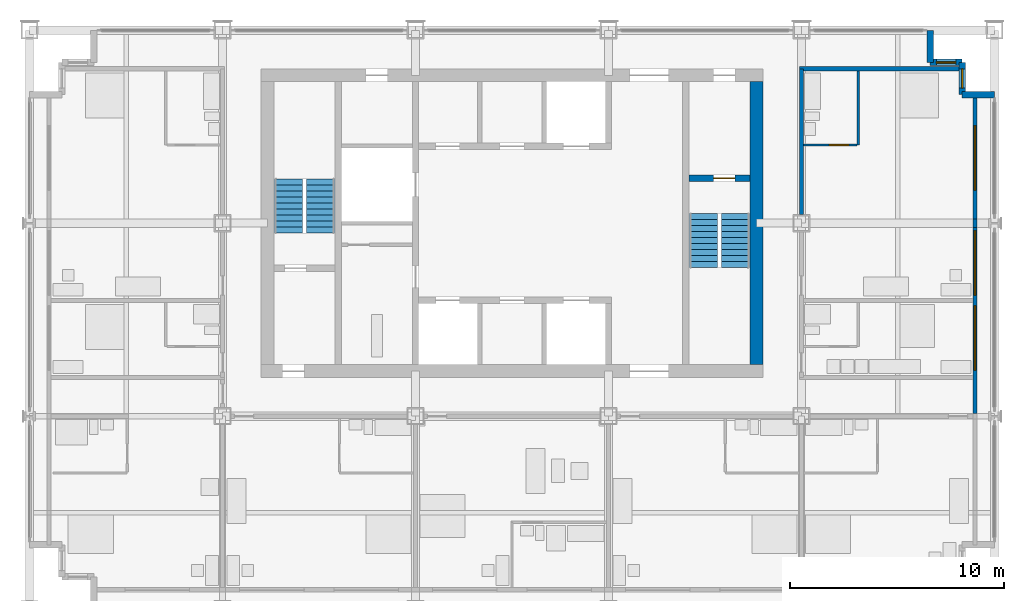
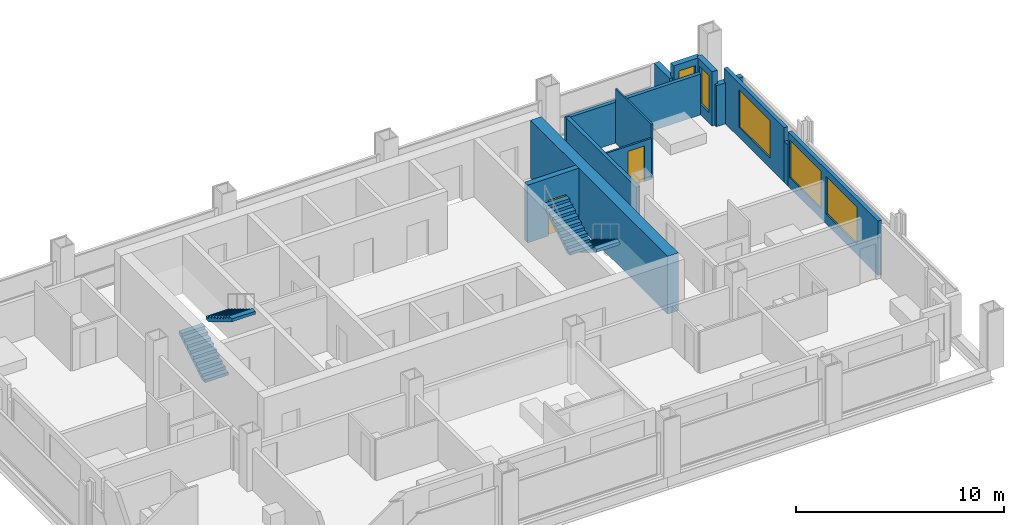
# One storey, part 10 of 13: 13 walls, 5 windows, 4 stair flights, 2 doors, 7 openings, 2 elements without a shape of their own.
"""IFC4 building model written with IfcOpenShell, lengths in metres."""

from ifc_helpers import new_model, si_unit, direction, frame, frame_2d, origin, place, context, subcontext, project, spatial, polyline, rectangle, outline, extrude, material, layer, layer_set, type_object, element, fill, aggregate, save


model = new_model("IFC4")

# Units and contexts
model_context = context("Model", 3, precision=1e-05, world=origin(), true_north=direction((0.0, 1.0)))
body_context = subcontext(model_context, "Body", "Model", "MODEL_VIEW")
ifc_project = project(units=[si_unit("LENGTHUNIT", "METRE"), si_unit("AREAUNIT", "SQUARE_METRE"), si_unit("VOLUMEUNIT", "CUBIC_METRE"), si_unit("PLANEANGLEUNIT", "RADIAN"), si_unit("MASSUNIT", "GRAM", prefix="KILO")], contexts=[model_context])

# Site, building, storey
site_placement = place(None, origin())
site = spatial("IfcSite", under=ifc_project, at=site_placement, CompositionType="ELEMENT")
building_placement = place(site_placement, origin())
building = spatial("IfcBuilding", under=site, at=building_placement, Name="Loomwork Tower", CompositionType="ELEMENT")
storey_placement = place(building_placement, frame((0.0, 0.0, 180.800048828125)))
storey = spatial("IfcBuildingStorey", under=building, at=storey_placement, Name="L49", CompositionType="ELEMENT", Elevation=180.800048828125)

# Wall, opening, door
ifc_material_1 = material(Name="Concrete 14000 psi (97 MPa)", Category="concrete")
ifc_layer_1 = layer(ifc_material_1, 0.300048828125)
ifc_layer_set_1 = layer_set([ifc_layer_1], Name="Core shear wall 300")
wall_type_1 = type_object("IfcWallType", Name="Core shear wall 300", PredefinedType="SHEAR", material=ifc_layer_set_1)
wall_1_placement = place(storey_placement, frame((30.75, 20.10009765625, 0.0), z_axis=(0.0, 0.0, 1.0), x_axis=(1.0, 0.0, 0.0)))
wall_1 = element("IfcWall", 1, at=wall_1_placement, inside=storey, type_object=wall_type_1, Name="Stair B north wall L49", PredefinedType="SHEAR", context=body_context, shape_type="SweptSolid", body=[
    extrude(rectangle(XDim=2.85009765625, YDim=0.300048828125, at=frame_2d((1.425048828125, 0.0))), origin(), (0.0, 0.0, 1.0), 3.39990234375),
])
opening_1_placement = place(wall_1_placement, frame((1.14990234375, 0.0, 0.0)))
opening_1 = element("IfcOpeningElement", 2, at=opening_1_placement, cuts=wall_1, Name="Opening D4", PredefinedType="OPENING", context=body_context, shape_type="SweptSolid", body=[
    extrude(rectangle(XDim=1.0, YDim=2.10009765625, at=frame_2d((0.5, 1.050048828125))), frame((0.0, 0.159912109375, 0.0), z_axis=(0.0, -1.0, 0.0), x_axis=(1.0, 0.0, 0.0)), (0.0, 0.0, 1.0), 0.320068359375),
])
ifc_material_2 = material(Name="Hollow metal door and frame")
door_type_1 = type_object("IfcDoorType", Name="Stair door 1000", OperationType="SINGLE_SWING_RIGHT", PredefinedType="DOOR", material=ifc_material_2)
door_1_placement = place(opening_1_placement, frame((1.0, 0.0, 0.0), z_axis=(0.0, 0.0, 1.0), x_axis=(-1.0, 0.0, 0.0)))
door_1 = element("IfcDoor", 3, at=door_1_placement, inside=storey, type_object=door_type_1, Name="Stair B door", OperationType="SINGLE_SWING_LEFT", OverallHeight=2.10009765625, OverallWidth=1.0, PredefinedType="DOOR", context=body_context, shape_type="SweptSolid", body=[
    extrude(rectangle(XDim=1.0, YDim=2.10009765625, at=frame_2d((0.5, 1.050048828125))), frame((0.0, 0.02490234375, 0.0), z_axis=(0.0, -1.0, 0.0), x_axis=(1.0, 0.0, 0.0)), (0.0, 0.0, 1.0), 0.050048828125),
])
fill(opening_1, door_1)

# Walls
ifc_material_3 = material(Name="Concrete 14000 psi (97 MPa)", Category="concrete")
ifc_layer_2 = layer(ifc_material_3, 0.60009765625)
ifc_layer_set_2 = layer_set([ifc_layer_2], Name="Core shear wall 600")
wall_type_2 = type_object("IfcWallType", Name="Core shear wall 600", PredefinedType="SHEAR", material=ifc_layer_set_2)
wall_2_placement = place(storey_placement, frame((33.89990234375, 11.39990234375, 0.0), z_axis=(0.0, 0.0, 1.0), x_axis=(0.0, 1.0, 0.0)))
element("IfcWall", 4, at=wall_2_placement, inside=storey, type_object=wall_type_2, Name="Core wall east L49", PredefinedType="SHEAR", context=body_context, shape_type="SweptSolid", body=[
    extrude(rectangle(XDim=13.2001953125, YDim=0.60009765625, at=frame_2d((6.60009765625, 0.0))), origin(), (0.0, 0.0, 1.0), 3.39990234375),
])
ifc_material_4 = material(Name="Gypsum board on steel studs, one-hour", Category="steel")
ifc_layer_3 = layer(ifc_material_4, 0.199951171875)
ifc_layer_set_3 = layer_set([ifc_layer_3], Name="Corridor wall 200")
wall_type_3 = type_object("IfcWallType", Name="Corridor wall 200", PredefinedType="PARTITIONING", material=ifc_layer_set_3)
wall_3_placement = place(storey_placement, frame((36.0, 18.39990234375, 0.0), z_axis=(0.0, 0.0, 1.0), x_axis=(0.0, 1.0, 0.0)))
element("IfcWall", 5, at=wall_3_placement, inside=storey, type_object=wall_type_3, Name="East corridor wall 2", PredefinedType="PARTITIONING", context=body_context, shape_type="SweptSolid", body=[
    extrude(rectangle(XDim=6.800048828125, YDim=0.199951171875, at=frame_2d((3.39990234375, 0.0))), origin(), (0.0, 0.0, 1.0), 2.405029296875),
])
wall_4_placement = place(storey_placement, frame((35.89990234375, 25.199951171875, 0.0), z_axis=(0.0, 0.0, 1.0), x_axis=(1.0, 0.0, 0.0)))
element("IfcWall", 6, at=wall_4_placement, inside=storey, type_object=wall_type_3, Name="East band end wall N", PredefinedType="PARTITIONING", context=body_context, shape_type="SweptSolid", body=[
    extrude(rectangle(XDim=7.4501953125, YDim=0.199951171875, at=frame_2d((3.72509765625, 0.0))), origin(), (0.0, 0.0, 1.0), 2.404052734375),
])
ifc_material_5 = material(Name="Cement board on steel studs", Category="steel")
ifc_layer_4 = layer(ifc_material_5, 0.10009765625)
ifc_layer_set_4 = layer_set([ifc_layer_4], Name="En-suite partition 100")
wall_type_4 = type_object("IfcWallType", Name="En-suite partition 100", PredefinedType="PARTITIONING", material=ifc_layer_set_4)
wall_5_placement = place(storey_placement, frame((38.64990234375, 21.64990234375, 0.0), z_axis=(0.0, 0.0, 1.0), x_axis=(0.0, 1.0, 0.0)))
element("IfcWall", 7, at=wall_5_placement, inside=storey, type_object=wall_type_4, Name="En-suite wall L49 room 9", PredefinedType="PARTITIONING", context=body_context, shape_type="SweptSolid", body=[
    extrude(rectangle(XDim=3.4501953125, YDim=0.10009765625, at=frame_2d((1.72509765625, 0.0))), origin(), (0.0, 0.0, 1.0), 3.199951171875),
])

# Wall, opening, door
wall_6_placement = place(storey_placement, frame((36.10009765625, 21.64990234375, 0.0), z_axis=(0.0, 0.0, 1.0), x_axis=(1.0, 0.0, 0.0)))
wall_6 = element("IfcWall", 8, at=wall_6_placement, inside=storey, type_object=wall_type_4, Name="En-suite side wall L49 room 9", PredefinedType="PARTITIONING", context=body_context, shape_type="SweptSolid", body=[
    extrude(rectangle(XDim=2.5, YDim=0.10009765625, at=frame_2d((1.25, 0.0))), origin(), (0.0, 0.0, 1.0), 2.404052734375),
])
opening_2_placement = place(wall_6_placement, frame((1.199951171875, 0.0, 0.0)))
opening_2 = element("IfcOpeningElement", 9, at=opening_2_placement, cuts=wall_6, Name="Opening D2", PredefinedType="OPENING", context=body_context, shape_type="SweptSolid", body=[
    extrude(rectangle(XDim=0.89990234375, YDim=2.10009765625, at=frame_2d((0.449951171875, 1.050048828125))), frame((0.0, 0.06005859375, 0.0), z_axis=(0.0, -1.0, 0.0), x_axis=(1.0, 0.0, 0.0)), (0.0, 0.0, 1.0), 0.1201171875),
])
ifc_material_6 = material(Name="Hollow metal door and frame")
door_type_2 = type_object("IfcDoorType", Name="En-suite door 900", OperationType="SINGLE_SWING_LEFT", PredefinedType="DOOR", material=ifc_material_6)
door_2_placement = place(opening_2_placement, origin())
door_2 = element("IfcDoor", 10, at=door_2_placement, inside=storey, type_object=door_type_2, Name="En-suite door room 9", OperationType="SINGLE_SWING_RIGHT", OverallHeight=2.10009765625, OverallWidth=0.89990234375, PredefinedType="DOOR", context=body_context, shape_type="SweptSolid", body=[
    extrude(rectangle(XDim=0.89990234375, YDim=2.10009765625, at=frame_2d((0.449951171875, 1.050048828125))), frame((0.0, 0.02490234375, 0.0), z_axis=(0.0, -1.0, 0.0), x_axis=(1.0, 0.0, 0.0)), (0.0, 0.0, 1.0), 0.050048828125),
])
fill(opening_2, door_2)

# Wall, openings, windows
ifc_material_7 = material(Name="Insulated steel stud wall with gypsum lining", Category="steel")
ifc_layer_5 = layer(ifc_material_7, 0.199951171875)
ifc_layer_set_5 = layer_set([ifc_layer_5], Name="Inner skin wall 200")
wall_type_5 = type_object("IfcWallType", Name="Inner skin wall 200", PredefinedType="SOLIDWALL", material=ifc_layer_set_5)
wall_7_placement = place(storey_placement, frame((44.10009765625, 9.13525390625, 0.0), z_axis=(0.0, 0.0, 1.0), x_axis=(0.0, 1.0, 0.0)))
wall_7 = element("IfcWall", 11, at=wall_7_placement, inside=storey, type_object=wall_type_5, Name="Inner skin wall E bay 5", PredefinedType="SOLIDWALL", context=body_context, shape_type="SweptSolid", body=[
    extrude(rectangle(XDim=8.6708984375, YDim=0.199951171875, at=frame_2d((4.33544921875, 0.0))), origin(), (0.0, 0.0, 1.0), 3.199951171875),
])
opening_3_placement = place(wall_7_placement, frame((2.0146484375, 0.0, 0.60009765625)))
opening_3 = element("IfcOpeningElement", 12, at=opening_3_placement, cuts=wall_7, Name="Opening CH1", PredefinedType="OPENING", context=body_context, shape_type="SweptSolid", body=[
    extrude(rectangle(XDim=3.0, YDim=2.199951171875, at=frame_2d((1.5, 1.10009765625))), frame((0.0, 0.10986328125, 0.0), z_axis=(0.0, -1.0, 0.0), x_axis=(1.0, 0.0, 0.0)), (0.0, 0.0, 1.0), 0.219970703125),
])
opening_4_placement = place(wall_7_placement, frame((5.5146484375, 0.0, 0.60009765625)))
opening_4 = element("IfcOpeningElement", 13, at=opening_4_placement, cuts=wall_7, Name="Opening CH1", PredefinedType="OPENING", context=body_context, shape_type="SweptSolid", body=[
    extrude(rectangle(XDim=3.0, YDim=2.199951171875, at=frame_2d((1.5, 1.10009765625))), frame((0.0, 0.10986328125, 0.0), z_axis=(0.0, -1.0, 0.0), x_axis=(1.0, 0.0, 0.0)), (0.0, 0.0, 1.0), 0.219970703125),
])
ifc_material_8 = material(Name="Aluminium frame with clear insulated glass", Category="aluminium")
window_type_1 = type_object("IfcWindowType", Name="Chicago window 3000", PartitioningType="TRIPLE_PANEL_VERTICAL", PredefinedType="WINDOW", material=ifc_material_8)
window_1_placement = place(opening_3_placement, origin())
window_1 = element("IfcWindow", 14, at=window_1_placement, inside=storey, type_object=window_type_1, Name="Chicago window L49 bay 8", OverallHeight=2.199951171875, OverallWidth=3.0, PartitioningType="TRIPLE_PANEL_VERTICAL", PredefinedType="WINDOW", context=body_context, shape_type="SweptSolid", body=[
    extrude(rectangle(XDim=3.0, YDim=2.199951171875, at=frame_2d((1.5, 1.10009765625))), frame((0.0, 0.030029296875, 0.0), z_axis=(0.0, -1.0, 0.0), x_axis=(1.0, 0.0, 0.0)), (0.0, 0.0, 1.0), 0.06005859375),
])
fill(opening_3, window_1)
window_2_placement = place(opening_4_placement, origin())
window_2 = element("IfcWindow", 15, at=window_2_placement, inside=storey, type_object=window_type_1, Name="Chicago window L49 bay 8", OverallHeight=2.199951171875, OverallWidth=3.0, PartitioningType="TRIPLE_PANEL_VERTICAL", PredefinedType="WINDOW", context=body_context, shape_type="SweptSolid", body=[
    extrude(rectangle(XDim=3.0, YDim=2.199951171875, at=frame_2d((1.5, 1.10009765625))), frame((0.0, 0.030029296875, 0.0), z_axis=(0.0, -1.0, 0.0), x_axis=(1.0, 0.0, 0.0)), (0.0, 0.0, 1.0), 0.06005859375),
])
fill(opening_4, window_2)

# Wall
wall_8_placement = place(storey_placement, frame((44.10009765625, 17.80615234375, 0.0), z_axis=(0.0, 0.0, 1.0), x_axis=(0.0, 1.0, 0.0)))
element("IfcWall", 16, at=wall_8_placement, inside=storey, type_object=wall_type_5, Name="Inner skin wall E bay 6", PredefinedType="SOLIDWALL", context=body_context, shape_type="SweptSolid", body=[
    extrude(rectangle(XDim=0.3876953125, YDim=0.199951171875, at=frame_2d((0.19384765625, 0.0))), origin(), (0.0, 0.0, 1.0), 2.404052734375),
])

# Wall, opening, window
wall_9_placement = place(storey_placement, frame((44.10009765625, 18.19384765625, 0.0), z_axis=(0.0, 0.0, 1.0), x_axis=(0.0, 1.0, 0.0)))
wall_9 = element("IfcWall", 17, at=wall_9_placement, inside=storey, type_object=wall_type_5, Name="Inner skin wall E bay 7", PredefinedType="SOLIDWALL", context=body_context, shape_type="SweptSolid", body=[
    extrude(rectangle(XDim=5.80615234375, YDim=0.199951171875, at=frame_2d((2.903076171875, 0.0))), origin(), (0.0, 0.0, 1.0), 3.199951171875),
])
opening_5_placement = place(wall_9_placement, frame((1.356201171875, 0.0, 0.60009765625)))
opening_5 = element("IfcOpeningElement", 18, at=opening_5_placement, cuts=wall_9, Name="Opening CH1", PredefinedType="OPENING", context=body_context, shape_type="SweptSolid", body=[
    extrude(rectangle(XDim=3.0, YDim=2.199951171875, at=frame_2d((1.5, 1.10009765625))), frame((0.0, 0.10986328125, 0.0), z_axis=(0.0, -1.0, 0.0), x_axis=(1.0, 0.0, 0.0)), (0.0, 0.0, 1.0), 0.219970703125),
])
window_3_placement = place(opening_5_placement, origin())
window_3 = element("IfcWindow", 19, at=window_3_placement, inside=storey, type_object=window_type_1, Name="Chicago window L49 bay 9", OverallHeight=2.199951171875, OverallWidth=3.0, PartitioningType="TRIPLE_PANEL_VERTICAL", PredefinedType="WINDOW", context=body_context, shape_type="SweptSolid", body=[
    extrude(rectangle(XDim=3.0, YDim=2.199951171875, at=frame_2d((1.5, 1.10009765625))), frame((0.0, 0.030029296875, 0.0), z_axis=(0.0, -1.0, 0.0), x_axis=(1.0, 0.0, 0.0)), (0.0, 0.0, 1.0), 0.06005859375),
])
fill(opening_5, window_3)

# Wall
ifc_material_9 = material(Name="Limestone on concrete masonry", Category="masonry")
ifc_layer_6 = layer(ifc_material_9, 0.300048828125)
ifc_layer_set_6 = layer_set([ifc_layer_6], Name="Limestone corner wall 300")
wall_type_6 = type_object("IfcWallType", Name="Limestone corner wall 300", PredefinedType="SOLIDWALL", material=ifc_layer_set_6)
wall_10_placement = place(storey_placement, frame((45.0, 24.0, 0.0), z_axis=(0.0, 0.0, 1.0), x_axis=(-1.0, 0.0, 0.0)))
element("IfcWall", 20, at=wall_10_placement, inside=storey, type_object=wall_type_6, Name="Stone corner wall NE 1", PredefinedType="SOLIDWALL", context=body_context, shape_type="SweptSolid", body=[
    extrude(rectangle(XDim=1.5, YDim=0.300048828125, at=frame_2d((0.75, 0.0))), origin(), (0.0, 0.0, 1.0), 2.419921875),
])

# Wall, opening, window
wall_11_placement = place(storey_placement, frame((43.5, 24.0, 0.0), z_axis=(0.0, 0.0, 1.0), x_axis=(0.0, 1.0, 0.0)))
wall_11 = element("IfcWall", 21, at=wall_11_placement, inside=storey, type_object=wall_type_6, Name="Stone corner wall NE 2", PredefinedType="SOLIDWALL", context=body_context, shape_type="SweptSolid", body=[
    extrude(rectangle(XDim=1.5, YDim=0.300048828125, at=frame_2d((0.75, 0.0))), origin(), (0.0, 0.0, 1.0), 3.199951171875),
])
opening_6_placement = place(wall_11_placement, frame((0.300048828125, 0.0, 0.60009765625)))
opening_6 = element("IfcOpeningElement", 22, at=opening_6_placement, cuts=wall_11, Name="Opening CH2", PredefinedType="OPENING", context=body_context, shape_type="SweptSolid", body=[
    extrude(rectangle(XDim=0.89990234375, YDim=2.199951171875, at=frame_2d((0.449951171875, 1.10009765625))), frame((0.0, 0.159912109375, 0.0), z_axis=(0.0, -1.0, 0.0), x_axis=(1.0, 0.0, 0.0)), (0.0, 0.0, 1.0), 0.320068359375),
])
ifc_material_10 = material(Name="Aluminium frame with clear insulated glass", Category="aluminium")
window_type_2 = type_object("IfcWindowType", Name="Corner window 900", PartitioningType="SINGLE_PANEL", PredefinedType="WINDOW", material=ifc_material_10)
window_4_placement = place(opening_6_placement, origin())
window_4 = element("IfcWindow", 23, at=window_4_placement, inside=storey, type_object=window_type_2, Name="Corner window NE", OverallHeight=2.199951171875, OverallWidth=0.89990234375, PartitioningType="SINGLE_PANEL", PredefinedType="WINDOW", context=body_context, shape_type="SweptSolid", body=[
    extrude(rectangle(XDim=0.89990234375, YDim=2.199951171875, at=frame_2d((0.449951171875, 1.10009765625))), frame((0.0, 0.030029296875, 0.0), z_axis=(0.0, -1.0, 0.0), x_axis=(1.0, 0.0, 0.0)), (0.0, 0.0, 1.0), 0.06005859375),
])
fill(opening_6, window_4)

wall_12_placement = place(storey_placement, frame((43.5, 25.5, 0.0), z_axis=(0.0, 0.0, 1.0), x_axis=(-1.0, 0.0, 0.0)))
wall_12 = element("IfcWall", 24, at=wall_12_placement, inside=storey, type_object=wall_type_6, Name="Stone corner wall NE 3", PredefinedType="SOLIDWALL", context=body_context, shape_type="SweptSolid", body=[
    extrude(rectangle(XDim=1.5, YDim=0.300048828125, at=frame_2d((0.75, 0.0))), origin(), (0.0, 0.0, 1.0), 3.199951171875),
])
opening_7_placement = place(wall_12_placement, frame((0.300048828125, 0.0, 0.60009765625)))
opening_7 = element("IfcOpeningElement", 25, at=opening_7_placement, cuts=wall_12, Name="Opening CH2", PredefinedType="OPENING", context=body_context, shape_type="SweptSolid", body=[
    extrude(rectangle(XDim=0.89990234375, YDim=2.199951171875, at=frame_2d((0.449951171875, 1.10009765625))), frame((0.0, 0.159912109375, 0.0), z_axis=(0.0, -1.0, 0.0), x_axis=(1.0, 0.0, 0.0)), (0.0, 0.0, 1.0), 0.320068359375),
])
window_5_placement = place(opening_7_placement, origin())
window_5 = element("IfcWindow", 26, at=window_5_placement, inside=storey, type_object=window_type_2, Name="Corner window NE", OverallHeight=2.199951171875, OverallWidth=0.89990234375, PartitioningType="SINGLE_PANEL", PredefinedType="WINDOW", context=body_context, shape_type="SweptSolid", body=[
    extrude(rectangle(XDim=0.89990234375, YDim=2.199951171875, at=frame_2d((0.449951171875, 1.10009765625))), frame((0.0, 0.030029296875, 0.0), z_axis=(0.0, -1.0, 0.0), x_axis=(1.0, 0.0, 0.0)), (0.0, 0.0, 1.0), 0.06005859375),
])
fill(opening_7, window_5)

# Wall
wall_13_placement = place(storey_placement, frame((42.0, 25.5, 0.0), z_axis=(0.0, 0.0, 1.0), x_axis=(0.0, 1.0, 0.0)))
element("IfcWall", 27, at=wall_13_placement, inside=storey, type_object=wall_type_6, Name="Stone corner wall NE 4", PredefinedType="SOLIDWALL", context=body_context, shape_type="SweptSolid", body=[
    extrude(rectangle(XDim=1.5, YDim=0.300048828125, at=frame_2d((0.75, 0.0))), origin(), (0.0, 0.0, 1.0), 2.419921875),
])

# Stair, stair flights
ifc_material_11 = material(Name="Concrete 5000 psi (34 MPa) precast stair", Category="concrete")
stair_type_1 = type_object("IfcStairType", Name="Stair ST-A 20 risers 2850 wide", PredefinedType="HALF_TURN_STAIR", material=ifc_material_11)
stair_1_placement = place(storey_placement, origin())
stair_1 = element("IfcStair", 28, at=stair_1_placement, inside=storey, type_object=stair_type_1, Name="Stair A L49", PredefinedType="HALF_TURN_STAIR")
ifc_material_12 = material(Name="Concrete 5000 psi (34 MPa) precast stair", Category="concrete")
stair_flight_type_1 = type_object("IfcStairFlightType", Name="Stair flight ST-A 10 risers 1300 wide", PredefinedType="STRAIGHT", material=ifc_material_12)
stair_flight_1_placement = place(storey_placement, frame((12.074951171875, 17.550048828125, 0.0), z_axis=(0.0, 0.0, 1.0), x_axis=(0.0, 1.0, 0.0)))
stair_flight_1 = element("IfcStairFlight", 29, at=stair_flight_1_placement, type_object=stair_flight_type_1, Name="ST-A flight 1", NumberOfRisers=10, NumberOfTreads=9, PredefinedType="STRAIGHT", RiserHeight=0.17, TreadLength=0.28, context=body_context, shape_type="SweptSolid", body=[
    extrude(outline(polyline([(0.0, 0.0), (0.0, 0.169921875), (0.280029296875, 0.169921875), (0.280029296875, 0.340087890625), (0.56005859375, 0.340087890625), (0.56005859375, 0.510009765625), (0.840087890625, 0.510009765625), (0.840087890625, 0.679931640625), (1.1201171875, 0.679931640625), (1.1201171875, 0.85009765625), (1.39990234375, 0.85009765625), (1.39990234375, 1.02001953125), (1.679931640625, 1.02001953125), (1.679931640625, 1.18994140625), (1.9599609375, 1.18994140625), (1.9599609375, 1.360107421875), (2.239990234375, 1.360107421875), (2.239990234375, 1.530029296875), (2.52001953125, 1.530029296875), (2.52001953125, 1.699951171875), (2.52001953125, 1.354736328125), (0.288818359375, 0.0), (0.0, 0.0)])), frame((0.0, 0.64990234375, 0.0), z_axis=(0.0, -1.0, 0.0), x_axis=(1.0, 0.0, 0.0)), (0.0, 0.0, 1.0), 1.300048828125),
])
stair_flight_2_placement = place(storey_placement, frame((13.574951171875, 20.070068359375, 1.699951171875), z_axis=(0.0, 0.0, 1.0), x_axis=(0.0, -1.0, 0.0)))
stair_flight_2 = element("IfcStairFlight", 30, at=stair_flight_2_placement, type_object=stair_flight_type_1, Name="ST-A flight 2", NumberOfRisers=10, NumberOfTreads=9, PredefinedType="STRAIGHT", RiserHeight=0.17, TreadLength=0.28, context=body_context, shape_type="SweptSolid", body=[
    extrude(outline(polyline([(0.0, 0.0), (0.0, 0.169921875), (0.280029296875, 0.169921875), (0.280029296875, 0.340087890625), (0.56005859375, 0.340087890625), (0.56005859375, 0.510009765625), (0.840087890625, 0.510009765625), (0.840087890625, 0.679931640625), (1.1201171875, 0.679931640625), (1.1201171875, 0.85009765625), (1.39990234375, 0.85009765625), (1.39990234375, 1.02001953125), (1.679931640625, 1.02001953125), (1.679931640625, 1.18994140625), (1.9599609375, 1.18994140625), (1.9599609375, 1.360107421875), (2.239990234375, 1.360107421875), (2.239990234375, 1.530029296875), (2.52001953125, 1.530029296875), (2.52001953125, 1.699951171875), (2.52001953125, 1.354736328125), (0.288818359375, 0.0), (0.0, 0.0)])), frame((0.0, 0.64990234375, 0.0), z_axis=(0.0, -1.0, 0.0), x_axis=(1.0, 0.0, 0.0)), (0.0, 0.0, 1.0), 1.300048828125),
])
aggregate(stair_1, [stair_flight_1, stair_flight_2])

ifc_material_13 = material(Name="Concrete 5000 psi (34 MPa) precast stair", Category="concrete")
stair_type_2 = type_object("IfcStairType", Name="Stair ST-B 20 risers 2850 wide", PredefinedType="HALF_TURN_STAIR", material=ifc_material_13)
stair_2_placement = place(storey_placement, origin())
stair_2 = element("IfcStair", 31, at=stair_2_placement, inside=storey, type_object=stair_type_2, Name="Stair B L49", PredefinedType="HALF_TURN_STAIR")
ifc_material_14 = material(Name="Concrete 5000 psi (34 MPa) precast stair", Category="concrete")
stair_flight_type_2 = type_object("IfcStairFlightType", Name="Stair flight ST-B 10 risers 1300 wide", PredefinedType="STRAIGHT", material=ifc_material_14)
stair_flight_3_placement = place(storey_placement, frame((32.925048828125, 18.449951171875, 0.0), z_axis=(0.0, 0.0, 1.0), x_axis=(0.0, -1.0, 0.0)))
stair_flight_3 = element("IfcStairFlight", 32, at=stair_flight_3_placement, type_object=stair_flight_type_2, Name="ST-B flight 1", NumberOfRisers=10, NumberOfTreads=9, PredefinedType="STRAIGHT", RiserHeight=0.17, TreadLength=0.28, context=body_context, shape_type="SweptSolid", body=[
    extrude(outline(polyline([(0.0, 0.0), (0.0, 0.169921875), (0.280029296875, 0.169921875), (0.280029296875, 0.340087890625), (0.56005859375, 0.340087890625), (0.56005859375, 0.510009765625), (0.840087890625, 0.510009765625), (0.840087890625, 0.679931640625), (1.1201171875, 0.679931640625), (1.1201171875, 0.85009765625), (1.39990234375, 0.85009765625), (1.39990234375, 1.02001953125), (1.679931640625, 1.02001953125), (1.679931640625, 1.18994140625), (1.9599609375, 1.18994140625), (1.9599609375, 1.360107421875), (2.239990234375, 1.360107421875), (2.239990234375, 1.530029296875), (2.52001953125, 1.530029296875), (2.52001953125, 1.699951171875), (2.52001953125, 1.354736328125), (0.288818359375, 0.0), (0.0, 0.0)])), frame((0.0, 0.64990234375, 0.0), z_axis=(0.0, -1.0, 0.0), x_axis=(1.0, 0.0, 0.0)), (0.0, 0.0, 1.0), 1.300048828125),
])
stair_flight_4_placement = place(storey_placement, frame((31.425048828125, 15.929931640625, 1.699951171875), z_axis=(0.0, 0.0, 1.0), x_axis=(0.0, 1.0, 0.0)))
stair_flight_4 = element("IfcStairFlight", 33, at=stair_flight_4_placement, type_object=stair_flight_type_2, Name="ST-B flight 2", NumberOfRisers=10, NumberOfTreads=9, PredefinedType="STRAIGHT", RiserHeight=0.17, TreadLength=0.28, context=body_context, shape_type="SweptSolid", body=[
    extrude(outline(polyline([(0.0, 0.0), (0.0, 0.169921875), (0.280029296875, 0.169921875), (0.280029296875, 0.340087890625), (0.56005859375, 0.340087890625), (0.56005859375, 0.510009765625), (0.840087890625, 0.510009765625), (0.840087890625, 0.679931640625), (1.1201171875, 0.679931640625), (1.1201171875, 0.85009765625), (1.39990234375, 0.85009765625), (1.39990234375, 1.02001953125), (1.679931640625, 1.02001953125), (1.679931640625, 1.18994140625), (1.9599609375, 1.18994140625), (1.9599609375, 1.360107421875), (2.239990234375, 1.360107421875), (2.239990234375, 1.530029296875), (2.52001953125, 1.530029296875), (2.52001953125, 1.699951171875), (2.52001953125, 1.354736328125), (0.288818359375, 0.0), (0.0, 0.0)])), frame((0.0, 0.64990234375, 0.0), z_axis=(0.0, -1.0, 0.0), x_axis=(1.0, 0.0, 0.0)), (0.0, 0.0, 1.0), 1.300048828125),
])
aggregate(stair_2, [stair_flight_3, stair_flight_4])

save(model, "model.ifc")
